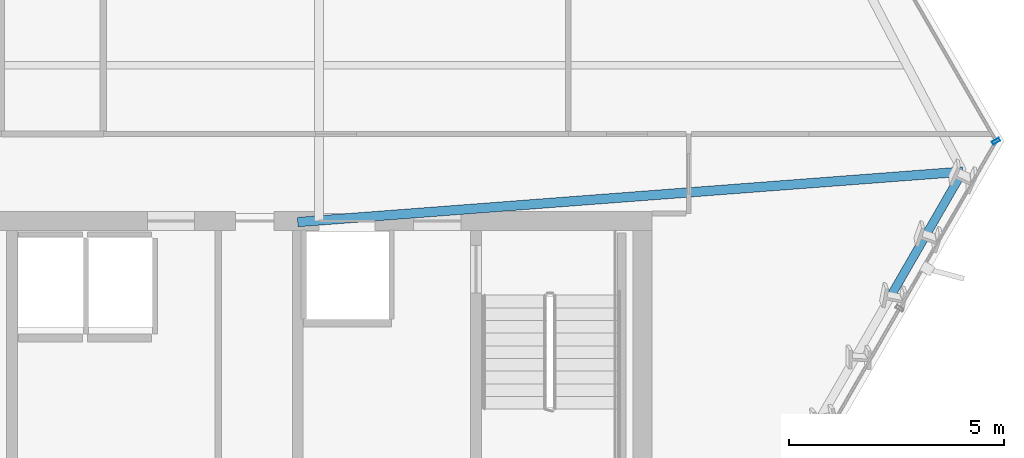
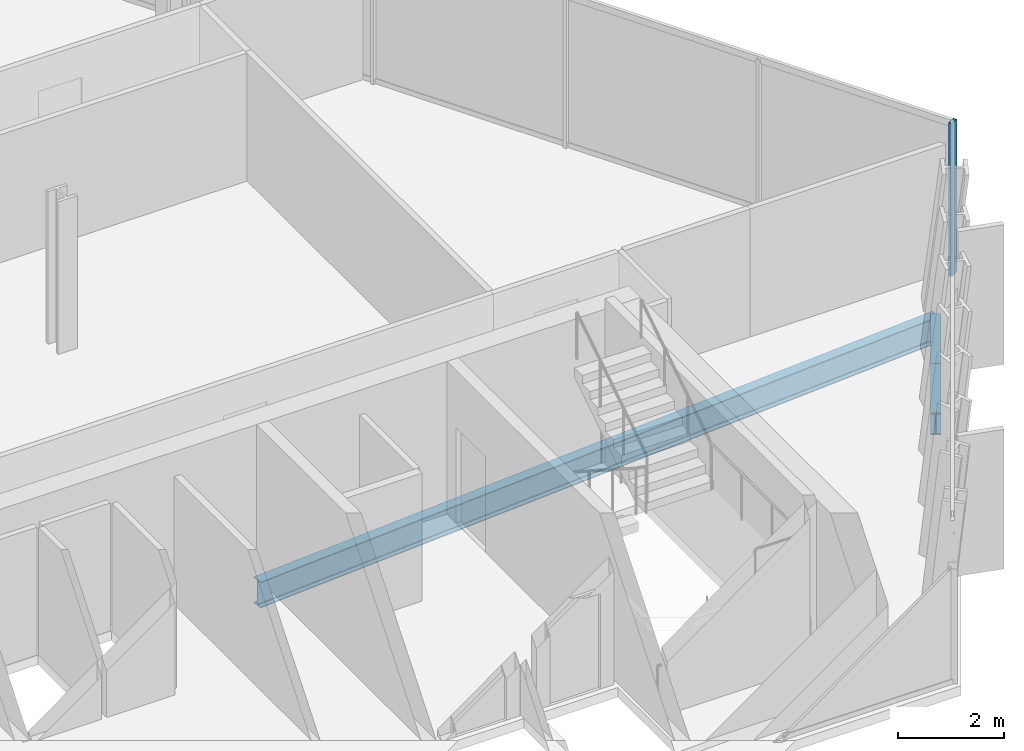
# One storey, part 16 of 31: 3 beams, 1 member, 1 element without a shape of its own.
"""IFC4 building model written with IfcOpenShell, lengths in metres."""

from ifc_helpers import new_model, si_unit, direction, frame, origin, origin_2d, place, context, subcontext, project, spatial, hollow_rectangle, i_section, extrude, material, layer, layer_set, material_profile, profile_set, type_object, element, aggregate, save


model = new_model("IFC4")

# Units and contexts
model_context = context("Model", 3, precision=1e-05, world=origin(), true_north=direction((0.0, 1.0)))
body_context = subcontext(model_context, "Body", "Model", "MODEL_VIEW")
ifc_project = project(units=[si_unit("LENGTHUNIT", "METRE"), si_unit("AREAUNIT", "SQUARE_METRE"), si_unit("VOLUMEUNIT", "CUBIC_METRE"), si_unit("PLANEANGLEUNIT", "RADIAN"), si_unit("MASSUNIT", "GRAM", prefix="KILO")], contexts=[model_context])

# Site, building, storey
site_placement = place(None, origin())
site = spatial("IfcSite", under=ifc_project, at=site_placement, CompositionType="ELEMENT")
building_placement = place(site_placement, origin())
building = spatial("IfcBuilding", under=site, at=building_placement, Name="Ndaravel Arena Tower", CompositionType="ELEMENT")
storey_placement = place(building_placement, frame((0.0, 0.0, 108.199951171875)))
storey = spatial("IfcBuildingStorey", under=building, at=storey_placement, Name="L25", CompositionType="ELEMENT", Elevation=108.199951171875)

# Beams
ifc_material_1 = material(Name="Steel S355", Category="steel")
ifc_material_profile_1 = material_profile(ifc_material_1, i_section(OverallWidth=0.219970703125, OverallDepth=0.60009765625, WebThickness=0.011962890625, FlangeThickness=0.01904296875, FilletRadius=0.02392578125, at=origin_2d()), Name="IPE 600")
ifc_profile_set_1 = profile_set([ifc_material_profile_1], Name="Steel S355")
beam_type_1 = type_object("IfcBeamType", Name="BM-GIRD-IPE600", PredefinedType="BEAM", material=ifc_profile_set_1)
beam_placement = place(storey_placement, frame((64.778076171875, 16.123291015625, -0.52001953125), z_axis=(-0.997138989027, -0.075589923677, 0.0), x_axis=(0.075589923677, -0.997138989027, 0.0)))
element("IfcBeam", 1, at=beam_placement, inside=storey, type_object=beam_type_1, Name="L25 Radial Floor Girder FG-09", PredefinedType="BEAM", context=body_context, shape_type="SweptSolid", body=[
    extrude(i_section(OverallWidth=0.219970703125, OverallDepth=0.60009765625, WebThickness=0.011962890625, FlangeThickness=0.01904296875, FilletRadius=0.02392578125, at=origin_2d()), origin(), (0.0, 0.0, 1.0), 15.5224609375),
])
ifc_material_2 = material(Name="Steel S355", Category="steel")
ifc_material_profile_2 = material_profile(ifc_material_2, i_section(OverallWidth=0.199951171875, OverallDepth=0.5, WebThickness=0.01025390625, FlangeThickness=0.01611328125, FilletRadius=0.02099609375, at=origin_2d()), Name="IPE 500")
ifc_profile_set_2 = profile_set([ifc_material_profile_2], Name="Steel S355")
beam_type_2 = type_object("IfcBeamType", Name="BM-SPAN-IPE500", PredefinedType="SPANDREL", material=ifc_profile_set_2)
for number, where, z_axis, x_axis, name in (
    (2, (63.139404296875, 13.284912109375, -0.469970703125), (0.499984679161, 0.866034249094, 0.0), (-0.866034249094, 0.499984679161, 0.0), "L25 Perimeter Spandrel Beam SP-07"),
    (3, (63.958740234375, 14.7041015625, -0.469970703125), (0.499984679161, 0.866034249094, 0.0), (-0.866034249094, 0.499984679161, 0.0), "L25 Perimeter Spandrel Beam SP-08"),
):
    element("IfcBeam", number, at=place(storey_placement, frame(where, z_axis=z_axis, x_axis=x_axis)), inside=storey, type_object=beam_type_2, Name=name, PredefinedType="SPANDREL", context=body_context, shape_type="SweptSolid", body=[
        extrude(i_section(OverallWidth=0.199951171875, OverallDepth=0.5, WebThickness=0.01025390625, FlangeThickness=0.01611328125, FilletRadius=0.02099609375, at=origin_2d()), origin(), (0.0, 0.0, 1.0), 1.638671875),
    ])

# Curtain wall, member
ifc_material_3 = material(Name="Aluminium", Category="aluminium")
ifc_layer = layer(ifc_material_3, 0.179931640625)
ifc_layer_set = layer_set([ifc_layer], Name="Aluminium")
curtain_wall_type = type_object("IfcCurtainWallType", Name="CW-SYS-03", PredefinedType="NOTDEFINED", material=ifc_layer_set)
curtain_wall_placement = place(storey_placement, origin())
curtain_wall = element("IfcCurtainWall", 4, at=curtain_wall_placement, inside=storey, type_object=curtain_wall_type, Name="L25 Faceted Crystal Curtain Wall CW-L25-E03", PredefinedType="NOTDEFINED")
ifc_material_4 = material(Name="Aluminium", Category="aluminium")
ifc_material_profile_3 = material_profile(ifc_material_4, hollow_rectangle(XDim=0.074951171875, YDim=0.179931640625, WallThickness=0.00390625, at=origin_2d()), Name="CW MULLION 75x180x4")
ifc_profile_set_3 = profile_set([ifc_material_profile_3], Name="Aluminium")
member_type = type_object("IfcMemberType", Name="MEM-CW-MUL180", PredefinedType="MULLION", material=ifc_profile_set_3)
member_placement = place(storey_placement, frame((65.557373046875, 16.832763671875, 0.0), z_axis=(0.0, 0.0, 1.0), x_axis=(-0.5, 0.866025403784, 0.0)))
member = element("IfcMember", 5, at=member_placement, type_object=member_type, Name="CW-L25-E03 Mullion 00", PredefinedType="MULLION", context=body_context, shape_type="SweptSolid", body=[
    extrude(hollow_rectangle(XDim=0.074951171875, YDim=0.179931640625, WallThickness=0.00390625, at=origin_2d()), origin(), (0.0, 0.0, 1.0), 3.52001953125),
])
aggregate(curtain_wall, [member])

save(model, "model.ifc")
